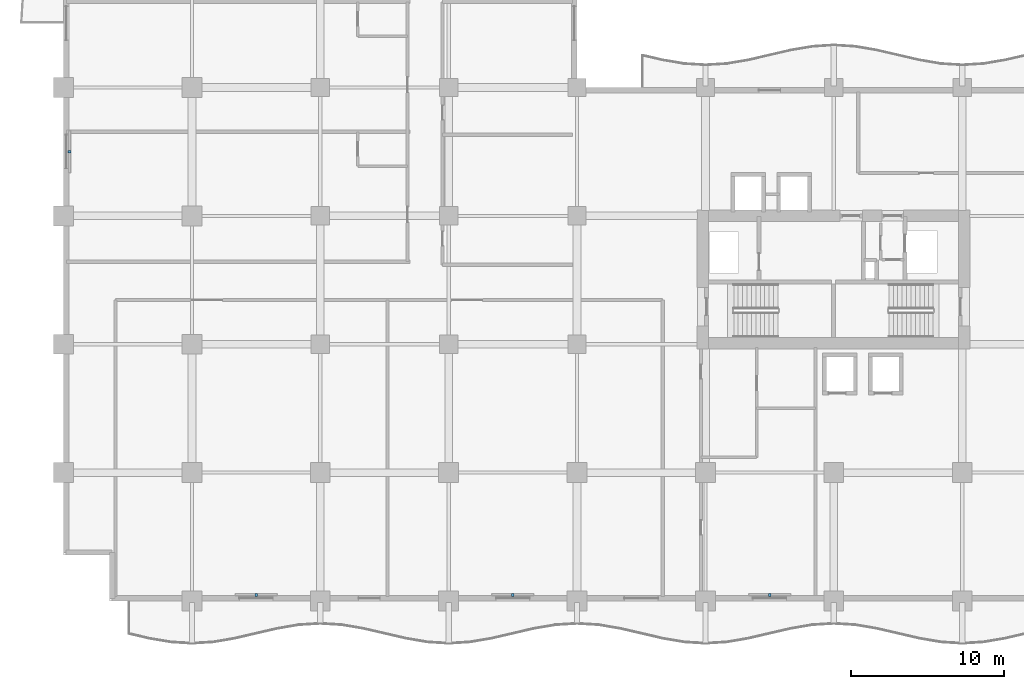
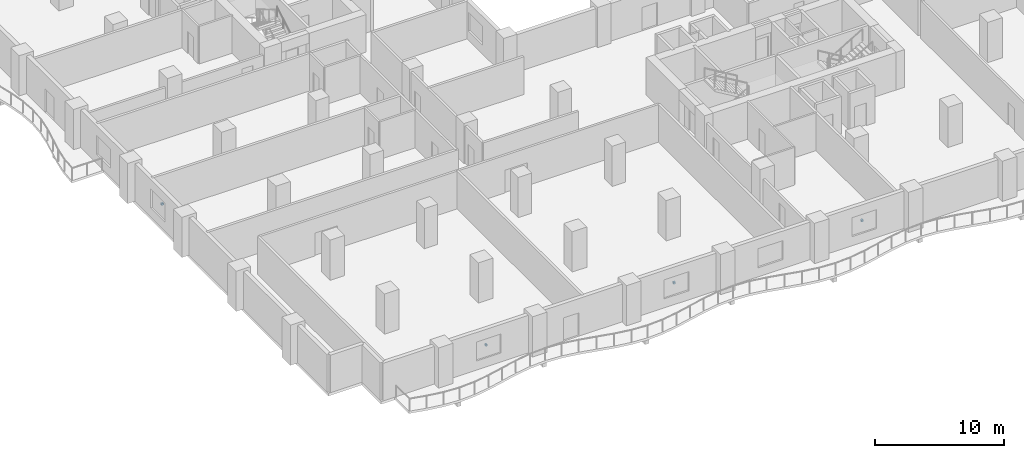
# One storey, part 16 of 22: 4 discrete accessories.
"""IFC4 building model written with IfcOpenShell, lengths in metres."""

from ifc_helpers import new_model, si_unit, direction, frame, origin, origin_2d, place, context, subcontext, project, spatial, rectangle, extrude, material, type_object, element, save


model = new_model("IFC4")

# Units and contexts
model_context = context("Model", 3, precision=1e-05, world=origin(), true_north=direction((0.0, 1.0)))
body_context = subcontext(model_context, "Body", "Model", "MODEL_VIEW")
ifc_project = project(units=[si_unit("LENGTHUNIT", "METRE"), si_unit("AREAUNIT", "SQUARE_METRE"), si_unit("VOLUMEUNIT", "CUBIC_METRE"), si_unit("PLANEANGLEUNIT", "RADIAN"), si_unit("MASSUNIT", "GRAM", prefix="KILO")], contexts=[model_context])

# Site, building, storey
site_placement = place(None, origin())
site = spatial("IfcSite", under=ifc_project, at=site_placement, CompositionType="ELEMENT")
building_placement = place(site_placement, origin())
building = spatial("IfcBuilding", under=site, at=building_placement, Name="Koriwani Terraces Tower", CompositionType="ELEMENT")
storey_placement = place(building_placement, frame((0.0, 0.0, 141.800048828125)))
storey = spatial("IfcBuildingStorey", under=building, at=storey_placement, Name="L34", CompositionType="ELEMENT", Elevation=141.800048828125)

# Discrete accessories
ifc_material = material(Name="Steel ASTM A572 Grade 50", Category="steel")
discrete_accessory_type = type_object("IfcDiscreteAccessoryType", Name="BAGUETTE_STANDOFF_BRACKET", PredefinedType="BRACKET", material=ifc_material)
for number, where, z_axis, x_axis, name in (
    (1, (0.389892578125, 29.39990234375, 1.68505859375), (0.0, 0.0, 1.0), (0.0, 1.0, 0.0), "L34 Terracotta Baguette Bracket (W-9)"),
    (2, (12.60009765625, 0.389892578125, 1.68505859375), (0.0, 0.0, 1.0), (-1.0, 0.0, 0.0), "L34 Terracotta Baguette Bracket (S-3)"),
    (3, (29.39990234375, 0.389892578125, 1.68505859375), (0.0, 0.0, 1.0), (-1.0, 0.0, 0.0), "L34 Terracotta Baguette Bracket (S-9)"),
    (4, (46.199951171875, 0.389892578125, 1.68505859375), (0.0, 0.0, 1.0), (-1.0, 0.0, 0.0), "L34 Terracotta Baguette Bracket (S-15)"),
):
    element("IfcDiscreteAccessory", number, at=place(storey_placement, frame(where, z_axis=z_axis, x_axis=x_axis)), inside=storey, type_object=discrete_accessory_type, Name=name, PredefinedType="BRACKET", context=body_context, shape_type="SweptSolid", body=[
        extrude(rectangle(XDim=0.159912109375, YDim=0.199951171875, at=origin_2d()), origin(), (0.0, 0.0, 1.0), 0.179931640625),
    ])

save(model, "model.ifc")
